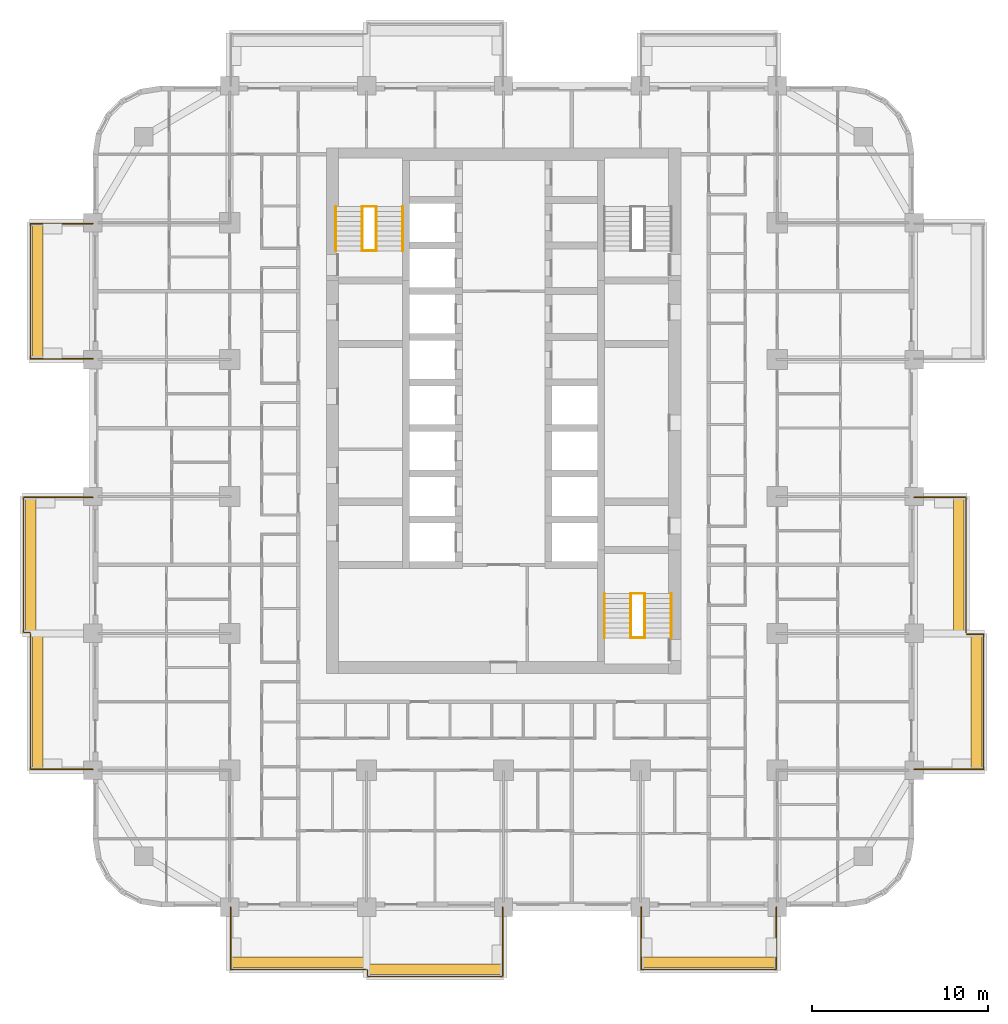
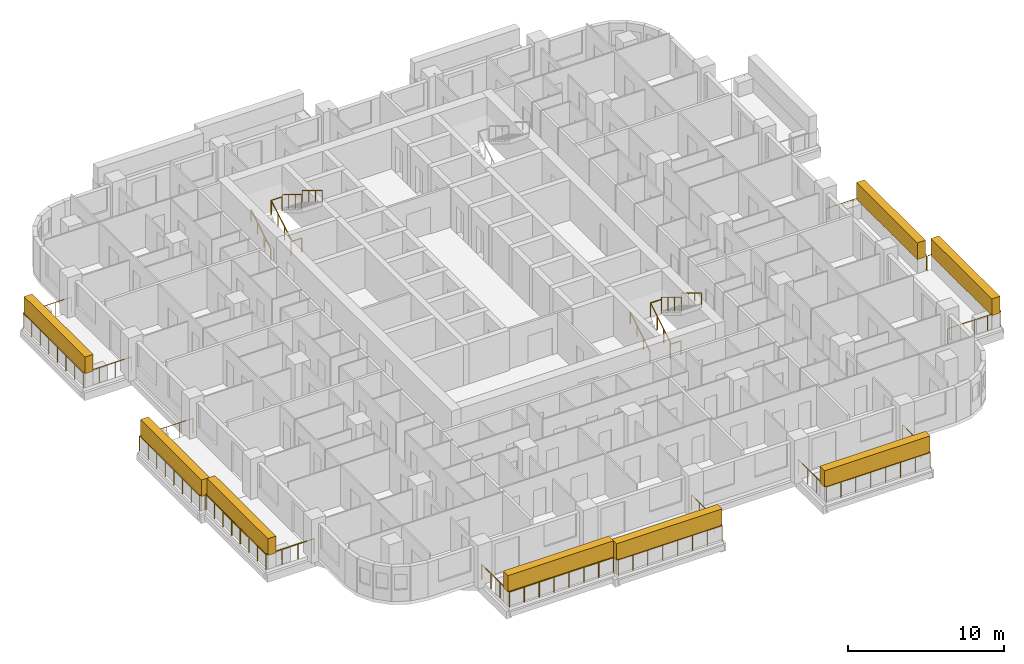
# One storey, part 16 of 17: 20 railings, 8 coverings, 2 elements without a shape of their own.
"""IFC4 building model written with IfcOpenShell, lengths in metres."""

from ifc_helpers import new_model, si_unit, direction, frame, origin, origin_2d, place, context, subcontext, project, spatial, rectangle, circle, extrude, material, layer, layer_set, type_object, element, aggregate, save


model = new_model("IFC4")

# Units and contexts
model_context = context("Model", 3, precision=1e-05, world=origin(), true_north=direction((0.0, 1.0)))
body_context = subcontext(model_context, "Body", "Model", "MODEL_VIEW")
ifc_project = project(units=[si_unit("LENGTHUNIT", "METRE"), si_unit("AREAUNIT", "SQUARE_METRE"), si_unit("VOLUMEUNIT", "CUBIC_METRE"), si_unit("PLANEANGLEUNIT", "RADIAN"), si_unit("MASSUNIT", "GRAM", prefix="KILO")], contexts=[model_context])

# Site, building, storey
site_placement = place(None, origin())
site = spatial("IfcSite", under=ifc_project, at=site_placement, CompositionType="ELEMENT")
building_placement = place(site_placement, origin())
building = spatial("IfcBuilding", under=site, at=building_placement, Name="Ludao Terraces", CompositionType="ELEMENT")
storey_placement = place(building_placement, frame((0.0, 0.0, 22.89990234375)))
storey = spatial("IfcBuildingStorey", under=building, at=storey_placement, Name="L05", CompositionType="ELEMENT", Elevation=22.89990234375)

# Railings
ifc_material_1 = material(Name="Stainless steel 304", Category="steel")
railing_type_1 = type_object("IfcRailingType", Name="ENV Balcony glass guard 1200", PredefinedType="GUARDRAIL", material=ifc_material_1)
railing_1_placement = place(storey_placement, frame((69.449951171875, 41.60009765625, 0.0)))
element("IfcRailing", 1, at=railing_1_placement, inside=storey, type_object=railing_type_1, Name="Balcony guard L05 S1", PredefinedType="GUARDRAIL", context=body_context, shape_type="SweptSolid", body=[
    extrude(circle(Radius=0.02392578125, at=origin_2d()), frame((0.0, 0.0, 1.17578125), z_axis=(0.0, -1.0, 0.0), x_axis=(1.0, 0.0, 0.0)), (0.0, 0.0, 1.0), 3.550048828125),
    extrude(circle(Radius=0.02392578125, at=origin_2d()), frame((0.0, -3.550048828125, 1.17578125), z_axis=(1.0, 0.0, 0.0), x_axis=(0.0, 1.0, 0.0)), (0.0, 0.0, 1.0), 7.699951171875),
    extrude(circle(Radius=0.02099609375, at=origin_2d()), origin(), (0.0, 0.0, 1.0), 1.15185546875),
    extrude(circle(Radius=0.02099609375, at=origin_2d()), frame((0.0, -1.183349609375, 0.0)), (0.0, 0.0, 1.0), 1.15185546875),
    extrude(circle(Radius=0.02099609375, at=origin_2d()), frame((0.0, -2.36669921875, 0.0)), (0.0, 0.0, 1.0), 1.15185546875),
    extrude(circle(Radius=0.02099609375, at=origin_2d()), frame((0.0, -3.550048828125, 0.0)), (0.0, 0.0, 1.0), 1.15185546875),
    extrude(circle(Radius=0.02099609375, at=origin_2d()), frame((1.10009765625, -3.550048828125, 0.0)), (0.0, 0.0, 1.0), 1.15185546875),
    extrude(circle(Radius=0.02099609375, at=origin_2d()), frame((2.199951171875, -3.550048828125, 0.0)), (0.0, 0.0, 1.0), 1.15185546875),
    extrude(circle(Radius=0.02099609375, at=origin_2d()), frame((3.300048828125, -3.550048828125, 0.0)), (0.0, 0.0, 1.0), 1.15185546875),
    extrude(circle(Radius=0.02099609375, at=origin_2d()), frame((4.39990234375, -3.550048828125, 0.0)), (0.0, 0.0, 1.0), 1.15185546875),
    extrude(circle(Radius=0.02099609375, at=origin_2d()), frame((5.5, -3.550048828125, 0.0)), (0.0, 0.0, 1.0), 1.15185546875),
    extrude(circle(Radius=0.02099609375, at=origin_2d()), frame((6.599853515625, -3.550048828125, 0.0)), (0.0, 0.0, 1.0), 1.15185546875),
    extrude(circle(Radius=0.02099609375, at=origin_2d()), frame((7.699951171875, -3.550048828125, 0.0)), (0.0, 0.0, 1.0), 1.15185546875),
])
railing_2_placement = place(storey_placement, frame((77.25, 38.0, 0.0)))
element("IfcRailing", 2, at=railing_2_placement, inside=storey, type_object=railing_type_1, Name="Balcony guard L05 S2", PredefinedType="GUARDRAIL", context=body_context, shape_type="SweptSolid", body=[
    extrude(circle(Radius=0.02392578125, at=origin_2d()), frame((0.0, 0.0, 1.17578125), z_axis=(0.0, -1.0, 0.0), x_axis=(1.0, 0.0, 0.0)), (0.0, 0.0, 1.0), 0.35009765625),
    extrude(circle(Radius=0.02392578125, at=origin_2d()), frame((0.0, -0.35009765625, 1.17578125), z_axis=(1.0, 0.0, 0.0), x_axis=(0.0, 1.0, 0.0)), (0.0, 0.0, 1.0), 7.699951171875),
    extrude(circle(Radius=0.02392578125, at=origin_2d()), frame((7.699951171875, -0.35009765625, 1.17578125), z_axis=(0.0, 1.0, 0.0), x_axis=(-1.0, 0.0, 0.0)), (0.0, 0.0, 1.0), 3.9501953125),
    extrude(circle(Radius=0.02099609375, at=origin_2d()), origin(), (0.0, 0.0, 1.0), 1.15185546875),
    extrude(circle(Radius=0.02099609375, at=origin_2d()), frame((0.0, -0.35009765625, 0.0)), (0.0, 0.0, 1.0), 1.15185546875),
    extrude(circle(Radius=0.02099609375, at=origin_2d()), frame((1.10009765625, -0.35009765625, 0.0)), (0.0, 0.0, 1.0), 1.15185546875),
    extrude(circle(Radius=0.02099609375, at=origin_2d()), frame((2.199951171875, -0.35009765625, 0.0)), (0.0, 0.0, 1.0), 1.15185546875),
    extrude(circle(Radius=0.02099609375, at=origin_2d()), frame((3.300048828125, -0.35009765625, 0.0)), (0.0, 0.0, 1.0), 1.15185546875),
    extrude(circle(Radius=0.02099609375, at=origin_2d()), frame((4.39990234375, -0.35009765625, 0.0)), (0.0, 0.0, 1.0), 1.15185546875),
    extrude(circle(Radius=0.02099609375, at=origin_2d()), frame((5.5, -0.35009765625, 0.0)), (0.0, 0.0, 1.0), 1.15185546875),
    extrude(circle(Radius=0.02099609375, at=origin_2d()), frame((6.599853515625, -0.35009765625, 0.0)), (0.0, 0.0, 1.0), 1.15185546875),
    extrude(circle(Radius=0.02099609375, at=origin_2d()), frame((7.699951171875, -0.35009765625, 0.0)), (0.0, 0.0, 1.0), 1.15185546875),
    extrude(circle(Radius=0.02099609375, at=origin_2d()), frame((7.699951171875, 0.637451171875, 0.0)), (0.0, 0.0, 1.0), 1.15185546875),
    extrude(circle(Radius=0.02099609375, at=origin_2d()), frame((7.699951171875, 1.625, 0.0)), (0.0, 0.0, 1.0), 1.15185546875),
    extrude(circle(Radius=0.02099609375, at=origin_2d()), frame((7.699951171875, 2.612548828125, 0.0)), (0.0, 0.0, 1.0), 1.15185546875),
    extrude(circle(Radius=0.02099609375, at=origin_2d()), frame((7.699951171875, 3.60009765625, 0.0)), (0.0, 0.0, 1.0), 1.15185546875),
])
railing_3_placement = place(storey_placement, frame((92.85009765625, 41.60009765625, 0.0)))
element("IfcRailing", 3, at=railing_3_placement, inside=storey, type_object=railing_type_1, Name="Balcony guard L05 S4", PredefinedType="GUARDRAIL", context=body_context, shape_type="SweptSolid", body=[
    extrude(circle(Radius=0.02392578125, at=origin_2d()), frame((0.0, 0.0, 1.17578125), z_axis=(0.0, -1.0, 0.0), x_axis=(1.0, 0.0, 0.0)), (0.0, 0.0, 1.0), 3.550048828125),
    extrude(circle(Radius=0.02392578125, at=origin_2d()), frame((0.0, -3.550048828125, 1.17578125), z_axis=(1.0, 0.0, 0.0), x_axis=(0.0, 1.0, 0.0)), (0.0, 0.0, 1.0), 7.699951171875),
    extrude(circle(Radius=0.02392578125, at=origin_2d()), frame((7.699951171875, -3.550048828125, 1.17578125), z_axis=(0.0, 1.0, 0.0), x_axis=(-1.0, 0.0, 0.0)), (0.0, 0.0, 1.0), 3.550048828125),
    extrude(circle(Radius=0.02099609375, at=origin_2d()), origin(), (0.0, 0.0, 1.0), 1.15185546875),
    extrude(circle(Radius=0.02099609375, at=origin_2d()), frame((0.0, -1.183349609375, 0.0)), (0.0, 0.0, 1.0), 1.15185546875),
    extrude(circle(Radius=0.02099609375, at=origin_2d()), frame((0.0, -2.36669921875, 0.0)), (0.0, 0.0, 1.0), 1.15185546875),
    extrude(circle(Radius=0.02099609375, at=origin_2d()), frame((0.0, -3.550048828125, 0.0)), (0.0, 0.0, 1.0), 1.15185546875),
    extrude(circle(Radius=0.02099609375, at=origin_2d()), frame((1.10009765625, -3.550048828125, 0.0)), (0.0, 0.0, 1.0), 1.15185546875),
    extrude(circle(Radius=0.02099609375, at=origin_2d()), frame((2.199951171875, -3.550048828125, 0.0)), (0.0, 0.0, 1.0), 1.15185546875),
    extrude(circle(Radius=0.02099609375, at=origin_2d()), frame((3.300048828125, -3.550048828125, 0.0)), (0.0, 0.0, 1.0), 1.15185546875),
    extrude(circle(Radius=0.02099609375, at=origin_2d()), frame((4.39990234375, -3.550048828125, 0.0)), (0.0, 0.0, 1.0), 1.15185546875),
    extrude(circle(Radius=0.02099609375, at=origin_2d()), frame((5.5, -3.550048828125, 0.0)), (0.0, 0.0, 1.0), 1.15185546875),
    extrude(circle(Radius=0.02099609375, at=origin_2d()), frame((6.599853515625, -3.550048828125, 0.0)), (0.0, 0.0, 1.0), 1.15185546875),
    extrude(circle(Radius=0.02099609375, at=origin_2d()), frame((7.699951171875, -3.550048828125, 0.0)), (0.0, 0.0, 1.0), 1.15185546875),
    extrude(circle(Radius=0.02099609375, at=origin_2d()), frame((7.699951171875, -2.36669921875, 0.0)), (0.0, 0.0, 1.0), 1.15185546875),
    extrude(circle(Radius=0.02099609375, at=origin_2d()), frame((7.699951171875, -1.183349609375, 0.0)), (0.0, 0.0, 1.0), 1.15185546875),
    extrude(circle(Radius=0.02099609375, at=origin_2d()), frame((7.699951171875, 0.0, 0.0)), (0.0, 0.0, 1.0), 1.15185546875),
])
railing_4_placement = place(storey_placement, frame((108.39990234375, 49.449951171875, 0.0)))
element("IfcRailing", 4, at=railing_4_placement, inside=storey, type_object=railing_type_1, Name="Balcony guard L05 E1", PredefinedType="GUARDRAIL", context=body_context, shape_type="SweptSolid", body=[
    extrude(circle(Radius=0.02392578125, at=origin_2d()), frame((0.0, 0.0, 1.17578125), z_axis=(1.0, 0.0, 0.0), x_axis=(0.0, 1.0, 0.0)), (0.0, 0.0, 1.0), 3.9501953125),
    extrude(circle(Radius=0.02392578125, at=origin_2d()), frame((3.9501953125, 0.0, 1.17578125), z_axis=(0.0, 1.0, 0.0), x_axis=(-1.0, 0.0, 0.0)), (0.0, 0.0, 1.0), 7.699951171875),
    extrude(circle(Radius=0.02392578125, at=origin_2d()), frame((3.9501953125, 7.699951171875, 1.17578125), z_axis=(-1.0, 0.0, 0.0), x_axis=(0.0, -1.0, 0.0)), (0.0, 0.0, 1.0), 0.9501953125),
    extrude(circle(Radius=0.02099609375, at=origin_2d()), origin(), (0.0, 0.0, 1.0), 1.15185546875),
    extrude(circle(Radius=0.02099609375, at=origin_2d()), frame((0.987548828125, 0.0, 0.0)), (0.0, 0.0, 1.0), 1.15185546875),
    extrude(circle(Radius=0.02099609375, at=origin_2d()), frame((1.97509765625, 0.0, 0.0)), (0.0, 0.0, 1.0), 1.15185546875),
    extrude(circle(Radius=0.02099609375, at=origin_2d()), frame((2.962646484375, 0.0, 0.0)), (0.0, 0.0, 1.0), 1.15185546875),
    extrude(circle(Radius=0.02099609375, at=origin_2d()), frame((3.9501953125, 0.0, 0.0)), (0.0, 0.0, 1.0), 1.15185546875),
    extrude(circle(Radius=0.02099609375, at=origin_2d()), frame((3.9501953125, 1.10009765625, 0.0)), (0.0, 0.0, 1.0), 1.15185546875),
    extrude(circle(Radius=0.02099609375, at=origin_2d()), frame((3.9501953125, 2.199951171875, 0.0)), (0.0, 0.0, 1.0), 1.15185546875),
    extrude(circle(Radius=0.02099609375, at=origin_2d()), frame((3.9501953125, 3.300048828125, 0.0)), (0.0, 0.0, 1.0), 1.15185546875),
    extrude(circle(Radius=0.02099609375, at=origin_2d()), frame((3.9501953125, 4.39990234375, 0.0)), (0.0, 0.0, 1.0), 1.15185546875),
    extrude(circle(Radius=0.02099609375, at=origin_2d()), frame((3.9501953125, 5.5, 0.0)), (0.0, 0.0, 1.0), 1.15185546875),
    extrude(circle(Radius=0.02099609375, at=origin_2d()), frame((3.9501953125, 6.599853515625, 0.0)), (0.0, 0.0, 1.0), 1.15185546875),
    extrude(circle(Radius=0.02099609375, at=origin_2d()), frame((3.9501953125, 7.699951171875, 0.0)), (0.0, 0.0, 1.0), 1.15185546875),
    extrude(circle(Radius=0.02099609375, at=origin_2d()), frame((3.0, 7.699951171875, 0.0)), (0.0, 0.0, 1.0), 1.15185546875),
])
railing_5_placement = place(storey_placement, frame((111.35009765625, 57.25, 0.0)))
element("IfcRailing", 5, at=railing_5_placement, inside=storey, type_object=railing_type_1, Name="Balcony guard L05 E2", PredefinedType="GUARDRAIL", context=body_context, shape_type="SweptSolid", body=[
    extrude(circle(Radius=0.02392578125, at=origin_2d()), frame((0.0, 0.0, 1.17578125), z_axis=(0.0, 1.0, 0.0), x_axis=(-1.0, 0.0, 0.0)), (0.0, 0.0, 1.0), 7.699951171875),
    extrude(circle(Radius=0.02392578125, at=origin_2d()), frame((0.0, 7.699951171875, 1.17578125), z_axis=(-1.0, 0.0, 0.0), x_axis=(0.0, -1.0, 0.0)), (0.0, 0.0, 1.0), 2.9501953125),
    extrude(circle(Radius=0.02099609375, at=origin_2d()), origin(), (0.0, 0.0, 1.0), 1.15185546875),
    extrude(circle(Radius=0.02099609375, at=origin_2d()), frame((0.0, 1.10009765625, 0.0)), (0.0, 0.0, 1.0), 1.15185546875),
    extrude(circle(Radius=0.02099609375, at=origin_2d()), frame((0.0, 2.199951171875, 0.0)), (0.0, 0.0, 1.0), 1.15185546875),
    extrude(circle(Radius=0.02099609375, at=origin_2d()), frame((0.0, 3.300048828125, 0.0)), (0.0, 0.0, 1.0), 1.15185546875),
    extrude(circle(Radius=0.02099609375, at=origin_2d()), frame((0.0, 4.39990234375, 0.0)), (0.0, 0.0, 1.0), 1.15185546875),
    extrude(circle(Radius=0.02099609375, at=origin_2d()), frame((0.0, 5.5, 0.0)), (0.0, 0.0, 1.0), 1.15185546875),
    extrude(circle(Radius=0.02099609375, at=origin_2d()), frame((0.0, 6.599853515625, 0.0)), (0.0, 0.0, 1.0), 1.15185546875),
    extrude(circle(Radius=0.02099609375, at=origin_2d()), frame((0.0, 7.699951171875, 0.0)), (0.0, 0.0, 1.0), 1.15185546875),
    extrude(circle(Radius=0.02099609375, at=origin_2d()), frame((-0.9833984375, 7.699951171875, 0.0)), (0.0, 0.0, 1.0), 1.15185546875),
    extrude(circle(Radius=0.02099609375, at=origin_2d()), frame((-1.966796875, 7.699951171875, 0.0)), (0.0, 0.0, 1.0), 1.15185546875),
    extrude(circle(Radius=0.02099609375, at=origin_2d()), frame((-2.9501953125, 7.699951171875, 0.0)), (0.0, 0.0, 1.0), 1.15185546875),
])
railing_6_placement = place(storey_placement, frame((61.60009765625, 49.449951171875, 0.0)))
element("IfcRailing", 6, at=railing_6_placement, inside=storey, type_object=railing_type_1, Name="Balcony guard L05 W1", PredefinedType="GUARDRAIL", context=body_context, shape_type="SweptSolid", body=[
    extrude(circle(Radius=0.02392578125, at=origin_2d()), frame((0.0, 0.0, 1.17578125), z_axis=(-1.0, 0.0, 0.0), x_axis=(0.0, -1.0, 0.0)), (0.0, 0.0, 1.0), 3.550048828125),
    extrude(circle(Radius=0.02392578125, at=origin_2d()), frame((-3.550048828125, 0.0, 1.17578125), z_axis=(0.0, 1.0, 0.0), x_axis=(-1.0, 0.0, 0.0)), (0.0, 0.0, 1.0), 7.699951171875),
    extrude(circle(Radius=0.02099609375, at=origin_2d()), origin(), (0.0, 0.0, 1.0), 1.15185546875),
    extrude(circle(Radius=0.02099609375, at=origin_2d()), frame((-1.183349609375, 0.0, 0.0)), (0.0, 0.0, 1.0), 1.15185546875),
    extrude(circle(Radius=0.02099609375, at=origin_2d()), frame((-2.36669921875, 0.0, 0.0)), (0.0, 0.0, 1.0), 1.15185546875),
    extrude(circle(Radius=0.02099609375, at=origin_2d()), frame((-3.550048828125, 0.0, 0.0)), (0.0, 0.0, 1.0), 1.15185546875),
    extrude(circle(Radius=0.02099609375, at=origin_2d()), frame((-3.550048828125, 1.10009765625, 0.0)), (0.0, 0.0, 1.0), 1.15185546875),
    extrude(circle(Radius=0.02099609375, at=origin_2d()), frame((-3.550048828125, 2.199951171875, 0.0)), (0.0, 0.0, 1.0), 1.15185546875),
    extrude(circle(Radius=0.02099609375, at=origin_2d()), frame((-3.550048828125, 3.300048828125, 0.0)), (0.0, 0.0, 1.0), 1.15185546875),
    extrude(circle(Radius=0.02099609375, at=origin_2d()), frame((-3.550048828125, 4.39990234375, 0.0)), (0.0, 0.0, 1.0), 1.15185546875),
    extrude(circle(Radius=0.02099609375, at=origin_2d()), frame((-3.550048828125, 5.5, 0.0)), (0.0, 0.0, 1.0), 1.15185546875),
    extrude(circle(Radius=0.02099609375, at=origin_2d()), frame((-3.550048828125, 6.599853515625, 0.0)), (0.0, 0.0, 1.0), 1.15185546875),
    extrude(circle(Radius=0.02099609375, at=origin_2d()), frame((-3.550048828125, 7.699951171875, 0.0)), (0.0, 0.0, 1.0), 1.15185546875),
])
railing_7_placement = place(storey_placement, frame((58.0, 57.25, 0.0)))
element("IfcRailing", 7, at=railing_7_placement, inside=storey, type_object=railing_type_1, Name="Balcony guard L05 W2", PredefinedType="GUARDRAIL", context=body_context, shape_type="SweptSolid", body=[
    extrude(circle(Radius=0.02392578125, at=origin_2d()), frame((0.0, 0.0, 1.17578125), z_axis=(-1.0, 0.0, 0.0), x_axis=(0.0, -1.0, 0.0)), (0.0, 0.0, 1.0), 0.35009765625),
    extrude(circle(Radius=0.02392578125, at=origin_2d()), frame((-0.35009765625, 0.0, 1.17578125), z_axis=(0.0, 1.0, 0.0), x_axis=(-1.0, 0.0, 0.0)), (0.0, 0.0, 1.0), 7.699951171875),
    extrude(circle(Radius=0.02392578125, at=origin_2d()), frame((-0.35009765625, 7.699951171875, 1.17578125), z_axis=(1.0, 0.0, 0.0), x_axis=(0.0, 1.0, 0.0)), (0.0, 0.0, 1.0), 3.9501953125),
    extrude(circle(Radius=0.02099609375, at=origin_2d()), origin(), (0.0, 0.0, 1.0), 1.15185546875),
    extrude(circle(Radius=0.02099609375, at=origin_2d()), frame((-0.35009765625, 0.0, 0.0)), (0.0, 0.0, 1.0), 1.15185546875),
    extrude(circle(Radius=0.02099609375, at=origin_2d()), frame((-0.35009765625, 1.10009765625, 0.0)), (0.0, 0.0, 1.0), 1.15185546875),
    extrude(circle(Radius=0.02099609375, at=origin_2d()), frame((-0.35009765625, 2.199951171875, 0.0)), (0.0, 0.0, 1.0), 1.15185546875),
    extrude(circle(Radius=0.02099609375, at=origin_2d()), frame((-0.35009765625, 3.300048828125, 0.0)), (0.0, 0.0, 1.0), 1.15185546875),
    extrude(circle(Radius=0.02099609375, at=origin_2d()), frame((-0.35009765625, 4.39990234375, 0.0)), (0.0, 0.0, 1.0), 1.15185546875),
    extrude(circle(Radius=0.02099609375, at=origin_2d()), frame((-0.35009765625, 5.5, 0.0)), (0.0, 0.0, 1.0), 1.15185546875),
    extrude(circle(Radius=0.02099609375, at=origin_2d()), frame((-0.35009765625, 6.599853515625, 0.0)), (0.0, 0.0, 1.0), 1.15185546875),
    extrude(circle(Radius=0.02099609375, at=origin_2d()), frame((-0.35009765625, 7.699951171875, 0.0)), (0.0, 0.0, 1.0), 1.15185546875),
    extrude(circle(Radius=0.02099609375, at=origin_2d()), frame((0.637451171875, 7.699951171875, 0.0)), (0.0, 0.0, 1.0), 1.15185546875),
    extrude(circle(Radius=0.02099609375, at=origin_2d()), frame((1.625, 7.699951171875, 0.0)), (0.0, 0.0, 1.0), 1.15185546875),
    extrude(circle(Radius=0.02099609375, at=origin_2d()), frame((2.612548828125, 7.699951171875, 0.0)), (0.0, 0.0, 1.0), 1.15185546875),
    extrude(circle(Radius=0.02099609375, at=origin_2d()), frame((3.60009765625, 7.699951171875, 0.0)), (0.0, 0.0, 1.0), 1.15185546875),
])
railing_8_placement = place(storey_placement, frame((61.60009765625, 72.85009765625, 0.0)))
element("IfcRailing", 8, at=railing_8_placement, inside=storey, type_object=railing_type_1, Name="Balcony guard L05 W4", PredefinedType="GUARDRAIL", context=body_context, shape_type="SweptSolid", body=[
    extrude(circle(Radius=0.02392578125, at=origin_2d()), frame((0.0, 0.0, 1.17578125), z_axis=(-1.0, 0.0, 0.0), x_axis=(0.0, -1.0, 0.0)), (0.0, 0.0, 1.0), 3.550048828125),
    extrude(circle(Radius=0.02392578125, at=origin_2d()), frame((-3.550048828125, 0.0, 1.17578125), z_axis=(0.0, 1.0, 0.0), x_axis=(-1.0, 0.0, 0.0)), (0.0, 0.0, 1.0), 7.699951171875),
    extrude(circle(Radius=0.02392578125, at=origin_2d()), frame((-3.550048828125, 7.699951171875, 1.17578125), z_axis=(1.0, 0.0, 0.0), x_axis=(0.0, 1.0, 0.0)), (0.0, 0.0, 1.0), 3.550048828125),
    extrude(circle(Radius=0.02099609375, at=origin_2d()), origin(), (0.0, 0.0, 1.0), 1.15185546875),
    extrude(circle(Radius=0.02099609375, at=origin_2d()), frame((-1.183349609375, 0.0, 0.0)), (0.0, 0.0, 1.0), 1.15185546875),
    extrude(circle(Radius=0.02099609375, at=origin_2d()), frame((-2.36669921875, 0.0, 0.0)), (0.0, 0.0, 1.0), 1.15185546875),
    extrude(circle(Radius=0.02099609375, at=origin_2d()), frame((-3.550048828125, 0.0, 0.0)), (0.0, 0.0, 1.0), 1.15185546875),
    extrude(circle(Radius=0.02099609375, at=origin_2d()), frame((-3.550048828125, 1.10009765625, 0.0)), (0.0, 0.0, 1.0), 1.15185546875),
    extrude(circle(Radius=0.02099609375, at=origin_2d()), frame((-3.550048828125, 2.199951171875, 0.0)), (0.0, 0.0, 1.0), 1.15185546875),
    extrude(circle(Radius=0.02099609375, at=origin_2d()), frame((-3.550048828125, 3.300048828125, 0.0)), (0.0, 0.0, 1.0), 1.15185546875),
    extrude(circle(Radius=0.02099609375, at=origin_2d()), frame((-3.550048828125, 4.39990234375, 0.0)), (0.0, 0.0, 1.0), 1.15185546875),
    extrude(circle(Radius=0.02099609375, at=origin_2d()), frame((-3.550048828125, 5.5, 0.0)), (0.0, 0.0, 1.0), 1.15185546875),
    extrude(circle(Radius=0.02099609375, at=origin_2d()), frame((-3.550048828125, 6.599853515625, 0.0)), (0.0, 0.0, 1.0), 1.15185546875),
    extrude(circle(Radius=0.02099609375, at=origin_2d()), frame((-3.550048828125, 7.699951171875, 0.0)), (0.0, 0.0, 1.0), 1.15185546875),
    extrude(circle(Radius=0.02099609375, at=origin_2d()), frame((-2.36669921875, 7.699951171875, 0.0)), (0.0, 0.0, 1.0), 1.15185546875),
    extrude(circle(Radius=0.02099609375, at=origin_2d()), frame((-1.183349609375, 7.699951171875, 0.0)), (0.0, 0.0, 1.0), 1.15185546875),
    extrude(circle(Radius=0.02099609375, at=origin_2d()), frame((0.0, 7.699951171875, 0.0)), (0.0, 0.0, 1.0), 1.15185546875),
])

# Coverings
ifc_material_2 = material(Name="Planting")
ifc_layer = layer(ifc_material_2, 0.60009765625)
ifc_layer_set = layer_set([ifc_layer], Name="ENV Planting hedge 600x1300")
covering_type = type_object("IfcCoveringType", Name="ENV Planting hedge 600x1300", PredefinedType="USERDEFINED", material=ifc_layer_set)
for number, where, z_axis, x_axis, name in (
    (9, (73.300048828125, 38.449951171875, 1.10009765625), (0.0, 0.0, 1.0), (1.0, 0.0, 0.0), "Planting hedge L05-S1"),
    (10, (81.10009765625, 38.050048828125, 1.10009765625), (0.0, 0.0, 1.0), (1.0, 0.0, 0.0), "Planting hedge L05-S2"),
    (11, (96.699951171875, 38.449951171875, 1.10009765625), (0.0, 0.0, 1.0), (1.0, 0.0, 0.0), "Planting hedge L05-S4"),
):
    element("IfcCovering", number, at=place(storey_placement, frame(where, z_axis=z_axis, x_axis=x_axis)), inside=storey, type_object=covering_type, Name=name, ObjectType="PLANTING", PredefinedType="USERDEFINED", context=body_context, shape_type="SweptSolid", body=[
        extrude(rectangle(XDim=7.800048828125, YDim=0.60009765625, at=origin_2d()), origin(), (0.0, 0.0, 1.0), 1.300048828125),
    ])
for number, where, z_axis, x_axis, name in (
    (12, (111.949951171875, 53.300048828125, 1.10009765625), (0.0, 0.0, 1.0), (1.0, 0.0, 0.0), "Planting hedge L05-E1"),
    (13, (110.949951171875, 61.10009765625, 1.10009765625), (0.0, 0.0, 1.0), (1.0, 0.0, 0.0), "Planting hedge L05-E2"),
    (14, (58.449951171875, 53.300048828125, 1.10009765625), (0.0, 0.0, 1.0), (1.0, 0.0, 0.0), "Planting hedge L05-W1"),
    (15, (58.050048828125, 61.10009765625, 1.10009765625), (0.0, 0.0, 1.0), (1.0, 0.0, 0.0), "Planting hedge L05-W2"),
    (16, (58.449951171875, 76.699951171875, 1.10009765625), (0.0, 0.0, 1.0), (1.0, 0.0, 0.0), "Planting hedge L05-W4"),
):
    element("IfcCovering", number, at=place(storey_placement, frame(where, z_axis=z_axis, x_axis=x_axis)), inside=storey, type_object=covering_type, Name=name, ObjectType="PLANTING", PredefinedType="USERDEFINED", context=body_context, shape_type="SweptSolid", body=[
        extrude(rectangle(XDim=0.60009765625, YDim=7.800048828125, at=origin_2d()), origin(), (0.0, 0.0, 1.0), 1.300048828125),
    ])

# Stair, railings
ifc_material_3 = material(Name="Concrete C40", Category="concrete")
stair_type = type_object("IfcStairType", Name="INT Stair", PredefinedType="HALF_TURN_STAIR", material=ifc_material_3)
stair_1_placement = place(storey_placement, origin())
stair_1 = element("IfcStair", 17, at=stair_1_placement, inside=storey, type_object=stair_type, Name="EXIT STAIR 1", PredefinedType="HALF_TURN_STAIR")
railing_type_2 = type_object("IfcRailingType", Name="INT Stair guard 1100", PredefinedType="GUARDRAIL", material=ifc_material_1)
railing_9_placement = place(storey_placement, frame((76.949951171875, 79.0, 0.170166015625)))
railing_9 = element("IfcRailing", 18, at=railing_9_placement, type_object=railing_type_2, Name="ST-L05-S1-R1G", PredefinedType="GUARDRAIL", context=body_context, shape_type="SweptSolid", body=[
    extrude(circle(Radius=0.02392578125, at=origin_2d()), frame((0.0, 0.0, 1.076171875), z_axis=(0.0, 0.85478489116, 0.518982456201), x_axis=(-1.0, 0.0, 0.0)), (0.0, 0.0, 1.0), 2.9482421875),
    extrude(circle(Radius=0.02099609375, at=origin_2d()), origin(), (0.0, 0.0, 1.0), 1.052001953125),
    extrude(circle(Radius=0.02099609375, at=origin_2d()), frame((0.0, 0.840087890625, 0.510009765625)), (0.0, 0.0, 1.0), 1.052001953125),
    extrude(circle(Radius=0.02099609375, at=origin_2d()), frame((0.0, 1.679931640625, 1.02001953125)), (0.0, 0.0, 1.0), 1.052001953125),
    extrude(circle(Radius=0.02099609375, at=origin_2d()), frame((0.0, 2.52001953125, 1.530029296875)), (0.0, 0.0, 1.0), 1.052001953125),
])
railing_10_placement = place(storey_placement, frame((77.75, 81.52001953125, 1.8701171875)))
railing_10 = element("IfcRailing", 19, at=railing_10_placement, type_object=railing_type_2, Name="ST-L05-S1-R2G", PredefinedType="GUARDRAIL", context=body_context, shape_type="SweptSolid", body=[
    extrude(circle(Radius=0.02392578125, at=origin_2d()), frame((0.0, 0.0, 1.076171875), z_axis=(0.0, -0.85478489116, 0.518982456201), x_axis=(1.0, 0.0, 0.0)), (0.0, 0.0, 1.0), 2.9482421875),
    extrude(circle(Radius=0.02099609375, at=origin_2d()), origin(), (0.0, 0.0, 1.0), 1.052001953125),
    extrude(circle(Radius=0.02099609375, at=origin_2d()), frame((0.0, -0.840087890625, 0.510009765625)), (0.0, 0.0, 1.0), 1.052001953125),
    extrude(circle(Radius=0.02099609375, at=origin_2d()), frame((0.0, -1.679931640625, 1.02001953125)), (0.0, 0.0, 1.0), 1.052001953125),
    extrude(circle(Radius=0.02099609375, at=origin_2d()), frame((0.0, -2.52001953125, 1.530029296875)), (0.0, 0.0, 1.0), 1.052001953125),
])
railing_11_placement = place(storey_placement, frame((76.949951171875, 81.52001953125, 1.7001953125)))
railing_11 = element("IfcRailing", 20, at=railing_11_placement, type_object=railing_type_2, Name="ST-L05-S1-E1G", PredefinedType="GUARDRAIL", context=body_context, shape_type="SweptSolid", body=[
    extrude(circle(Radius=0.02392578125, at=origin_2d()), frame((0.0, 0.0, 1.076171875), z_axis=(1.0, 0.0, 0.0), x_axis=(0.0, 1.0, 0.0)), (0.0, 0.0, 1.0), 0.800048828125),
    extrude(circle(Radius=0.02099609375, at=origin_2d()), origin(), (0.0, 0.0, 1.0), 1.052001953125),
    extrude(circle(Radius=0.02099609375, at=origin_2d()), frame((0.800048828125, 0.0, 0.0)), (0.0, 0.0, 1.0), 1.052001953125),
])
railing_12_placement = place(storey_placement, frame((76.949951171875, 79.0, 0.0)))
railing_12 = element("IfcRailing", 21, at=railing_12_placement, type_object=railing_type_2, Name="ST-L05-S1-E2G", PredefinedType="GUARDRAIL", context=body_context, shape_type="SweptSolid", body=[
    extrude(circle(Radius=0.02392578125, at=origin_2d()), frame((0.0, 0.0, 1.076171875), z_axis=(1.0, 0.0, 0.0), x_axis=(0.0, 1.0, 0.0)), (0.0, 0.0, 1.0), 0.800048828125),
    extrude(circle(Radius=0.02099609375, at=origin_2d()), origin(), (0.0, 0.0, 1.0), 1.052001953125),
    extrude(circle(Radius=0.02099609375, at=origin_2d()), frame((0.800048828125, 0.0, 0.0)), (0.0, 0.0, 1.0), 1.052001953125),
])

stair_2_placement = place(storey_placement, origin())
stair_2 = element("IfcStair", 22, at=stair_2_placement, inside=storey, type_object=stair_type, Name="EXIT STAIR 3", PredefinedType="HALF_TURN_STAIR")
railing_13_placement = place(storey_placement, frame((92.25, 56.949951171875, 0.170166015625)))
railing_13 = element("IfcRailing", 23, at=railing_13_placement, type_object=railing_type_2, Name="ST-L05-S3-R1G", PredefinedType="GUARDRAIL", context=body_context, shape_type="SweptSolid", body=[
    extrude(circle(Radius=0.02392578125, at=origin_2d()), frame((0.0, 0.0, 1.076171875), z_axis=(0.0, 0.85478489116, 0.518982456201), x_axis=(-1.0, 0.0, 0.0)), (0.0, 0.0, 1.0), 2.9482421875),
    extrude(circle(Radius=0.02099609375, at=origin_2d()), origin(), (0.0, 0.0, 1.0), 1.052001953125),
    extrude(circle(Radius=0.02099609375, at=origin_2d()), frame((0.0, 0.840087890625, 0.510009765625)), (0.0, 0.0, 1.0), 1.052001953125),
    extrude(circle(Radius=0.02099609375, at=origin_2d()), frame((0.0, 1.679931640625, 1.02001953125)), (0.0, 0.0, 1.0), 1.052001953125),
    extrude(circle(Radius=0.02099609375, at=origin_2d()), frame((0.0, 2.52001953125, 1.530029296875)), (0.0, 0.0, 1.0), 1.052001953125),
])
railing_14_placement = place(storey_placement, frame((93.050048828125, 59.469970703125, 1.8701171875)))
railing_14 = element("IfcRailing", 24, at=railing_14_placement, type_object=railing_type_2, Name="ST-L05-S3-R2G", PredefinedType="GUARDRAIL", context=body_context, shape_type="SweptSolid", body=[
    extrude(circle(Radius=0.02392578125, at=origin_2d()), frame((0.0, 0.0, 1.076171875), z_axis=(0.0, -0.85478489116, 0.518982456201), x_axis=(1.0, 0.0, 0.0)), (0.0, 0.0, 1.0), 2.9482421875),
    extrude(circle(Radius=0.02099609375, at=origin_2d()), origin(), (0.0, 0.0, 1.0), 1.052001953125),
    extrude(circle(Radius=0.02099609375, at=origin_2d()), frame((0.0, -0.840087890625, 0.510009765625)), (0.0, 0.0, 1.0), 1.052001953125),
    extrude(circle(Radius=0.02099609375, at=origin_2d()), frame((0.0, -1.679931640625, 1.02001953125)), (0.0, 0.0, 1.0), 1.052001953125),
    extrude(circle(Radius=0.02099609375, at=origin_2d()), frame((0.0, -2.52001953125, 1.530029296875)), (0.0, 0.0, 1.0), 1.052001953125),
])
railing_15_placement = place(storey_placement, frame((92.25, 59.469970703125, 1.7001953125)))
railing_15 = element("IfcRailing", 25, at=railing_15_placement, type_object=railing_type_2, Name="ST-L05-S3-E1G", PredefinedType="GUARDRAIL", context=body_context, shape_type="SweptSolid", body=[
    extrude(circle(Radius=0.02392578125, at=origin_2d()), frame((0.0, 0.0, 1.076171875), z_axis=(1.0, 0.0, 0.0), x_axis=(0.0, 1.0, 0.0)), (0.0, 0.0, 1.0), 0.800048828125),
    extrude(circle(Radius=0.02099609375, at=origin_2d()), origin(), (0.0, 0.0, 1.0), 1.052001953125),
    extrude(circle(Radius=0.02099609375, at=origin_2d()), frame((0.800048828125, 0.0, 0.0)), (0.0, 0.0, 1.0), 1.052001953125),
])
railing_16_placement = place(storey_placement, frame((92.25, 56.949951171875, 0.0)))
railing_16 = element("IfcRailing", 26, at=railing_16_placement, type_object=railing_type_2, Name="ST-L05-S3-E2G", PredefinedType="GUARDRAIL", context=body_context, shape_type="SweptSolid", body=[
    extrude(circle(Radius=0.02392578125, at=origin_2d()), frame((0.0, 0.0, 1.076171875), z_axis=(1.0, 0.0, 0.0), x_axis=(0.0, 1.0, 0.0)), (0.0, 0.0, 1.0), 0.800048828125),
    extrude(circle(Radius=0.02099609375, at=origin_2d()), origin(), (0.0, 0.0, 1.0), 1.052001953125),
    extrude(circle(Radius=0.02099609375, at=origin_2d()), frame((0.800048828125, 0.0, 0.0)), (0.0, 0.0, 1.0), 1.052001953125),
])

# Railing
railing_type_3 = type_object("IfcRailingType", Name="INT Stair handrail 900", PredefinedType="HANDRAIL", material=ifc_material_1)
railing_17_placement = place(storey_placement, frame((75.449951171875, 79.0, 0.170166015625)))
railing_17 = element("IfcRailing", 27, at=railing_17_placement, type_object=railing_type_3, Name="ST-L05-S1-R1H", PredefinedType="HANDRAIL", context=body_context, shape_type="SweptSolid", body=[
    extrude(circle(Radius=0.02392578125, at=origin_2d()), frame((0.0, 0.0, 0.8759765625), z_axis=(0.0, 0.85478489116, 0.518982456201), x_axis=(-1.0, 0.0, 0.0)), (0.0, 0.0, 1.0), 2.9482421875),
    extrude(circle(Radius=0.02099609375, at=origin_2d()), origin(), (0.0, 0.0, 1.0), 0.851806640625),
    extrude(circle(Radius=0.02099609375, at=origin_2d()), frame((0.0, 0.840087890625, 0.510009765625)), (0.0, 0.0, 1.0), 0.851806640625),
    extrude(circle(Radius=0.02099609375, at=origin_2d()), frame((0.0, 1.679931640625, 1.02001953125)), (0.0, 0.0, 1.0), 0.851806640625),
    extrude(circle(Radius=0.02099609375, at=origin_2d()), frame((0.0, 2.52001953125, 1.530029296875)), (0.0, 0.0, 1.0), 0.851806640625),
])

railing_18_placement = place(storey_placement, frame((79.25, 81.52001953125, 1.8701171875)))
railing_18 = element("IfcRailing", 28, at=railing_18_placement, type_object=railing_type_3, Name="ST-L05-S1-R2H", PredefinedType="HANDRAIL", context=body_context, shape_type="SweptSolid", body=[
    extrude(circle(Radius=0.02392578125, at=origin_2d()), frame((0.0, 0.0, 0.8759765625), z_axis=(0.0, -0.85478489116, 0.518982456201), x_axis=(1.0, 0.0, 0.0)), (0.0, 0.0, 1.0), 2.9482421875),
    extrude(circle(Radius=0.02099609375, at=origin_2d()), origin(), (0.0, 0.0, 1.0), 0.851806640625),
    extrude(circle(Radius=0.02099609375, at=origin_2d()), frame((0.0, -0.840087890625, 0.510009765625)), (0.0, 0.0, 1.0), 0.851806640625),
    extrude(circle(Radius=0.02099609375, at=origin_2d()), frame((0.0, -1.679931640625, 1.02001953125)), (0.0, 0.0, 1.0), 0.851806640625),
    extrude(circle(Radius=0.02099609375, at=origin_2d()), frame((0.0, -2.52001953125, 1.530029296875)), (0.0, 0.0, 1.0), 0.851806640625),
])

aggregate(stair_1, [railing_9, railing_17, railing_10, railing_18, railing_11, railing_12])

railing_19_placement = place(storey_placement, frame((90.75, 56.949951171875, 0.170166015625)))
railing_19 = element("IfcRailing", 29, at=railing_19_placement, type_object=railing_type_3, Name="ST-L05-S3-R1H", PredefinedType="HANDRAIL", context=body_context, shape_type="SweptSolid", body=[
    extrude(circle(Radius=0.02392578125, at=origin_2d()), frame((0.0, 0.0, 0.8759765625), z_axis=(0.0, 0.85478489116, 0.518982456201), x_axis=(-1.0, 0.0, 0.0)), (0.0, 0.0, 1.0), 2.9482421875),
    extrude(circle(Radius=0.02099609375, at=origin_2d()), origin(), (0.0, 0.0, 1.0), 0.851806640625),
    extrude(circle(Radius=0.02099609375, at=origin_2d()), frame((0.0, 0.840087890625, 0.510009765625)), (0.0, 0.0, 1.0), 0.851806640625),
    extrude(circle(Radius=0.02099609375, at=origin_2d()), frame((0.0, 1.679931640625, 1.02001953125)), (0.0, 0.0, 1.0), 0.851806640625),
    extrude(circle(Radius=0.02099609375, at=origin_2d()), frame((0.0, 2.52001953125, 1.530029296875)), (0.0, 0.0, 1.0), 0.851806640625),
])

railing_20_placement = place(storey_placement, frame((94.550048828125, 59.469970703125, 1.8701171875)))
railing_20 = element("IfcRailing", 30, at=railing_20_placement, type_object=railing_type_3, Name="ST-L05-S3-R2H", PredefinedType="HANDRAIL", context=body_context, shape_type="SweptSolid", body=[
    extrude(circle(Radius=0.02392578125, at=origin_2d()), frame((0.0, 0.0, 0.8759765625), z_axis=(0.0, -0.85478489116, 0.518982456201), x_axis=(1.0, 0.0, 0.0)), (0.0, 0.0, 1.0), 2.9482421875),
    extrude(circle(Radius=0.02099609375, at=origin_2d()), origin(), (0.0, 0.0, 1.0), 0.851806640625),
    extrude(circle(Radius=0.02099609375, at=origin_2d()), frame((0.0, -0.840087890625, 0.510009765625)), (0.0, 0.0, 1.0), 0.851806640625),
    extrude(circle(Radius=0.02099609375, at=origin_2d()), frame((0.0, -1.679931640625, 1.02001953125)), (0.0, 0.0, 1.0), 0.851806640625),
    extrude(circle(Radius=0.02099609375, at=origin_2d()), frame((0.0, -2.52001953125, 1.530029296875)), (0.0, 0.0, 1.0), 0.851806640625),
])

aggregate(stair_2, [railing_13, railing_19, railing_14, railing_20, railing_15, railing_16])

save(model, "model.ifc")
